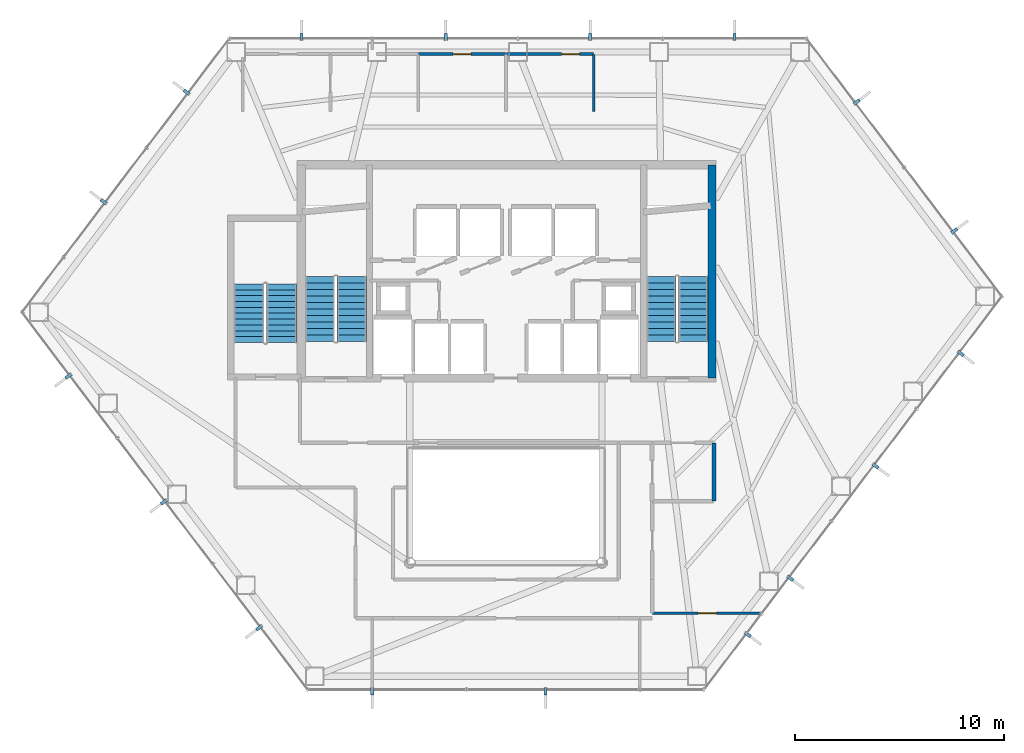
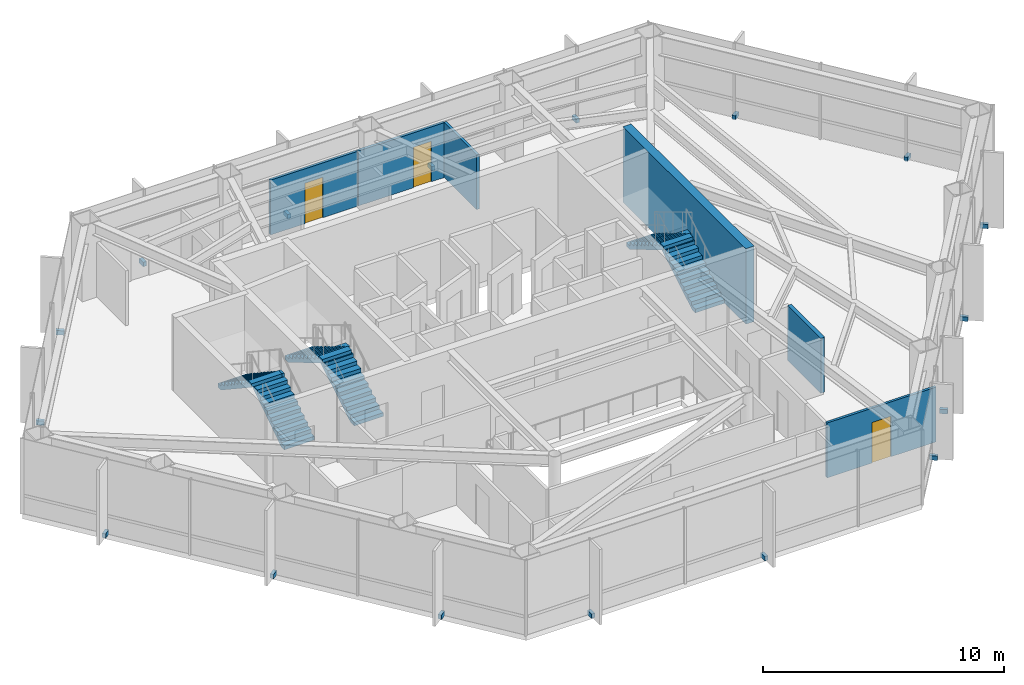
# One storey, part 23 of 24: 17 discrete accessories, 6 stair flights, 6 walls, 3 doors, 3 openings, 3 elements without a shape of their own.
"""IFC4 building model written with IfcOpenShell, lengths in metres."""

import ifcopenshell
import ifcopenshell.guid

model = None  # the IFC model being written
_history = None  # IfcOwnerHistory: only IFC2X3 demands one
_inside = {}  # id of a spatial element -> (the spatial element, [elements in it])
_under = {}  # id of a project, library or spatial element -> (it, [spatial elements below it])
_declared = {}  # id of a project -> (the project, [libraries it declares])
_typed = {}  # id of a type object -> (the type object, [elements of that type])
_made_of = {}  # id of a material, layer set ... -> (it, [elements and type objects made of it])


def new_model(schema):
    """Start an empty IFC model of exactly this schema.

    Asked for "IFC4X3", IfcOpenShell would pick the latest addendum, in which some entities
    have other attributes; the version numbers below select the first issue.
    IFC2X3 requires an IfcOwnerHistory on every rooted entity: one is made here for all.
    """
    global model, _history
    if schema == "IFC4X3":
        model = ifcopenshell.file(schema_version=(4, 3, 0, 0))
    else:
        model = ifcopenshell.file(schema=schema)
    _inside.clear()
    _under.clear()
    _declared.clear()
    _typed.clear()
    _made_of.clear()
    _history = None
    if model.schema == "IFC2X3":
        org = make("IfcOrganization", Name="unknown")
        user = make(
            "IfcPersonAndOrganization",
            ThePerson=make("IfcPerson", FamilyName="unknown"),
            TheOrganization=org,
        )
        app = make(
            "IfcApplication",
            ApplicationDeveloper=org,
            Version="unknown",
            ApplicationFullName="unknown",
            ApplicationIdentifier="unknown",
        )
        _history = make(
            "IfcOwnerHistory",
            OwningUser=user,
            OwningApplication=app,
            ChangeAction="ADDED",
            CreationDate=0,
        )
    return model


def make(cls, **values):
    """One entity of the class cls with the attributes given. An attribute that is None is left unset."""
    return model.create_entity(
        cls, **{name: value for name, value in values.items() if value is not None}
    )


def rooted(cls, **values):
    """An entity with a GlobalId (a new one), such as an element, a storey or a relation."""
    return make(cls, GlobalId=ifcopenshell.guid.new(), OwnerHistory=_history, **values)


def si_unit(unit_type, name, prefix=None):
    """IfcSIUnit, for example si_unit("LENGTHUNIT", "METRE", prefix="MILLI")."""
    return make("IfcSIUnit", UnitType=unit_type, Prefix=prefix, Name=name)


def assignment(units):
    """IfcUnitAssignment: the units of a project."""
    return None if units is None else make("IfcUnitAssignment", Units=units)


def point(xyz):
    """IfcCartesianPoint."""
    return None if xyz is None else make("IfcCartesianPoint", Coordinates=xyz)


def direction(xyz):
    """IfcDirection."""
    return None if xyz is None else make("IfcDirection", DirectionRatios=xyz)


def frame(location, z_axis=None, x_axis=None):
    """IfcAxis2Placement3D, a coordinate frame: its origin and axes. An axis left out is left unset."""
    return make(
        "IfcAxis2Placement3D",
        Location=point(location),
        Axis=direction(z_axis),
        RefDirection=direction(x_axis),
    )


def frame_2d(location, x_axis=None):
    """IfcAxis2Placement2D, a coordinate frame in the plane: its origin and x axis."""
    return make(
        "IfcAxis2Placement2D", Location=point(location), RefDirection=direction(x_axis)
    )


def origin():
    """The frame at (0, 0, 0) with its axes left unset."""
    return frame((0.0, 0.0, 0.0))


def origin_2d():
    """The frame at (0, 0) in the plane with its x axis left unset."""
    return frame_2d((0.0, 0.0))


def place(relative_to, where):
    """IfcLocalPlacement: puts the frame where relative to a parent placement (None: the world)."""
    return make(
        "IfcLocalPlacement", PlacementRelTo=relative_to, RelativePlacement=where
    )


def context(
    kind, dimensions, precision=None, world=None, true_north=None, identifier=None
):
    """IfcGeometricRepresentationContext, for example the 3D "Model" context."""
    return make(
        "IfcGeometricRepresentationContext",
        ContextIdentifier=identifier,
        ContextType=kind,
        CoordinateSpaceDimension=dimensions,
        Precision=precision,
        WorldCoordinateSystem=world,
        TrueNorth=true_north,
    )


def subcontext(parent, identifier, kind, view, scale=None):
    """IfcGeometricRepresentationSubContext, for example "Body" below "Model"."""
    return make(
        "IfcGeometricRepresentationSubContext",
        ContextIdentifier=identifier,
        ContextType=kind,
        ParentContext=parent,
        TargetScale=scale,
        TargetView=view,
    )


def project(units=None, contexts=None):
    """IfcProject with its units and contexts."""
    return rooted(
        "IfcProject",
        Name="project",
        RepresentationContexts=contexts,
        UnitsInContext=assignment(units),
    )


def spatial(cls, under=None, at=None, **own):
    """A site, building, storey or space (cls), placed at a placement, below another one or the project."""
    s = rooted(cls, ObjectPlacement=at, **own)
    if under is not None:
        _under.setdefault(under.id(), (under, []))[1].append(s)
    return s


def polyline(points):
    """IfcPolyline through the points."""
    return make("IfcPolyline", Points=[point(p) for p in points])


def profile(cls, at=None, kind="AREA", **sizes):
    """A parametric profile (cls). Its sizes go by their IFC names, for example OverallWidth=200.0."""
    return make(cls, ProfileType=kind, Position=at, **sizes)


def rectangle(**sizes):
    """IfcRectangleProfileDef."""
    return profile("IfcRectangleProfileDef", **sizes)


def outline(outer, holes=None, kind="AREA"):
    """IfcArbitraryClosedProfileDef: a profile drawn as a closed curve; with holes, ...WithVoids."""
    if holes is None:
        return make("IfcArbitraryClosedProfileDef", ProfileType=kind, OuterCurve=outer)
    return make(
        "IfcArbitraryProfileDefWithVoids",
        ProfileType=kind,
        OuterCurve=outer,
        InnerCurves=holes,
    )


def extrude(swept, where, along, depth):
    """IfcExtrudedAreaSolid: the profile swept, set in the frame where, extruded along a direction by depth."""
    return make(
        "IfcExtrudedAreaSolid",
        SweptArea=swept,
        Position=where,
        ExtrudedDirection=direction(along),
        Depth=depth,
    )


def shape(context_of_items, identifier, shape_type, items):
    """IfcShapeRepresentation: the items that make up one representation, for example the "Body"."""
    return make(
        "IfcShapeRepresentation",
        ContextOfItems=context_of_items,
        RepresentationIdentifier=identifier,
        RepresentationType=shape_type,
        Items=items,
    )


def material(Name=None, Category=None):
    """IfcMaterial."""
    return make("IfcMaterial", Name=Name, Category=Category)


def layer(
    of_material, thickness, ventilated=None, Name=None, Category=None, Priority=None
):
    """IfcMaterialLayer: one layer of a wall or slab, of a material (None: an air gap)."""
    return make(
        "IfcMaterialLayer",
        Material=of_material,
        LayerThickness=thickness,
        IsVentilated=ventilated,
        Name=Name,
        Category=Category,
        Priority=Priority,
    )


def layer_set(layers, Name=None):
    """IfcMaterialLayerSet."""
    return make("IfcMaterialLayerSet", MaterialLayers=layers, LayerSetName=Name)


def made_of(thing, what):
    """Note that an element or type object is made of a material, layer set ...; save() writes the relation."""
    if what is not None:
        _made_of.setdefault(what.id(), (what, []))[1].append(thing)
    return thing


def type_object(cls, material=None, **own):
    """A type object (cls), such as IfcWallType, which elements share."""
    return made_of(rooted(cls, **own), material)


def element(
    cls,
    number,
    at=None,
    inside=None,
    cuts=None,
    type_object=None,
    material=None,
    context=None,
    identifier="Body",
    shape_type=None,
    held_by="IfcProductDefinitionShape",
    body=None,
    shapes=None,
    **own,
):
    """One element of the class cls, such as IfcWall. Its Tag is "e" and its number.

    at: its placement. inside: the storey or other place that contains it. cuts: it is an
    opening in that element (IfcRelVoidsElement). A single representation is given by context,
    identifier, shape_type and body (its items); several are given by shapes. held_by: the class
    of the entity that holds the representations. save() writes the other relations.
    """
    e = rooted(cls, Tag="e%d" % number, ObjectPlacement=at, **own)
    if body is not None:
        shapes = [shape(context, identifier, shape_type, body)]
    if shapes is not None:
        e.Representation = make(held_by, Representations=shapes)
    if inside is not None:
        _inside.setdefault(inside.id(), (inside, []))[1].append(e)
    if cuts is not None:
        rooted(
            "IfcRelVoidsElement", RelatingBuildingElement=cuts, RelatedOpeningElement=e
        )
    if type_object is not None:
        _typed.setdefault(type_object.id(), (type_object, []))[1].append(e)
    return made_of(e, material)


def fill(opening, filler):
    """IfcRelFillsElement: the door or window that sits in an opening."""
    return rooted(
        "IfcRelFillsElement",
        RelatingOpeningElement=opening,
        RelatedBuildingElement=filler,
    )


def aggregate(whole, parts):
    """IfcRelAggregates: a whole, such as a stair, and the parts it consists of."""
    return rooted("IfcRelAggregates", RelatingObject=whole, RelatedObjects=parts)


def save(model, path):
    """Write the relations noted so far, then the file.

    IfcRelAggregates (storeys below a building ...), IfcRelContainedInSpatialStructure (elements
    in a storey), IfcRelDefinesByType, IfcRelAssociatesMaterial and IfcRelDeclares: one each for
    every whole, place, type object, material and project.
    """
    for whole, parts in _under.values():
        aggregate(whole, parts)
    for where, things in _inside.values():
        rooted(
            "IfcRelContainedInSpatialStructure",
            RelatedElements=things,
            RelatingStructure=where,
        )
    for kind, things in _typed.values():
        rooted("IfcRelDefinesByType", RelatedObjects=things, RelatingType=kind)
    for what, things in _made_of.values():
        rooted("IfcRelAssociatesMaterial", RelatedObjects=things, RelatingMaterial=what)
    for by, libraries in _declared.values():
        rooted("IfcRelDeclares", RelatingContext=by, RelatedDefinitions=libraries)
    model.write(path)


model = new_model("IFC4")

# Units and contexts
model_context = context("Model", 3, precision=1e-05, world=origin(), true_north=direction((0.0, 1.0)))
body_context = subcontext(model_context, "Body", "Model", "MODEL_VIEW")
ifc_project = project(units=[si_unit("LENGTHUNIT", "METRE"), si_unit("AREAUNIT", "SQUARE_METRE"), si_unit("VOLUMEUNIT", "CUBIC_METRE"), si_unit("PLANEANGLEUNIT", "RADIAN"), si_unit("MASSUNIT", "GRAM", prefix="KILO")], contexts=[model_context])

# Site, building, storey
site_placement = place(None, origin())
site = spatial("IfcSite", under=ifc_project, at=site_placement, CompositionType="ELEMENT")
building_placement = place(site_placement, origin())
building = spatial("IfcBuilding", under=site, at=building_placement, Name="Zarrinselat Tower", CompositionType="ELEMENT")
storey_placement = place(building_placement, frame((0.0, 0.0, 96.89990234375)))
storey = spatial("IfcBuildingStorey", under=building, at=storey_placement, Name="L23", CompositionType="ELEMENT", Elevation=96.89990234375)

# Wall
ifc_material_1 = material(Name="Concrete C40/50", Category="concrete")
ifc_layer_1 = layer(ifc_material_1, 0.18994140625)
ifc_layer_set_1 = layer_set([ifc_layer_1], Name="Concrete C40/50")
wall_type_1 = type_object("IfcWallType", Name="WAL-PART-EI120", PredefinedType="PARTITIONING", material=ifc_layer_set_1)
wall_1_placement = place(storey_placement, frame((48.35009765625, 27.3701171875, 0.0), z_axis=(0.0, 0.0, 1.0), x_axis=(0.0, 1.0, 0.0)))
element("IfcWall", 1, at=wall_1_placement, inside=storey, type_object=wall_type_1, Name="L23 Partition Wall 14", PredefinedType="PARTITIONING", context=body_context, shape_type="SweptSolid", body=[
    extrude(rectangle(XDim=2.759765625, YDim=0.18994140625, at=frame_2d((1.3798828125, 0.0))), origin(), (0.0, 0.0, 1.0), 2.777099609375),
])

# Wall, opening, door
ifc_material_2 = material(Name="Fire-Rated Gypsum Board Partition", Category="gypsum")
ifc_layer_2 = layer(ifc_material_2, 0.1201171875)
ifc_layer_set_2 = layer_set([ifc_layer_2], Name="Fire-Rated Gypsum Board Partition")
wall_type_2 = type_object("IfcWallType", Name="WAL-PART-STD", PredefinedType="PARTITIONING", material=ifc_layer_set_2)
wall_2_placement = place(storey_placement, frame((45.419921875, 22.0, 0.0), z_axis=(0.0, 0.0, 1.0), x_axis=(1.0, 0.0, 0.0)))
wall_2 = element("IfcWall", 2, at=wall_2_placement, inside=storey, type_object=wall_type_2, Name="L23 Partition Wall 44", PredefinedType="PARTITIONING", context=body_context, shape_type="SweptSolid", body=[
    extrude(rectangle(XDim=5.22265625, YDim=0.1201171875, at=frame_2d((2.611328125, 0.0))), origin(), (0.0, 0.0, 1.0), 2.777099609375),
])
opening_1_placement = place(wall_2_placement, frame((2.1611328125, 0.0, 0.0)))
opening_1 = element("IfcOpeningElement", 3, at=opening_1_placement, cuts=wall_2, Name="Opening ID-05", PredefinedType="OPENING", context=body_context, shape_type="SweptSolid", body=[
    extrude(rectangle(XDim=0.89990234375, YDim=2.050048828125, at=frame_2d((0.449951171875, 1.02490234375))), frame((0.0, 0.070068359375, 0.0), z_axis=(0.0, -1.0, 0.0), x_axis=(1.0, 0.0, 0.0)), (0.0, 0.0, 1.0), 0.14013671875),
])
ifc_material_3 = material(Name="Extruded Aluminium Alloy EN AW-6063 T6", Category="aluminium")
door_type_1 = type_object("IfcDoorType", Name="DR-INT-STD-920", OperationType="NOTDEFINED", PredefinedType="DOOR", material=ifc_material_3)
door_1_placement = place(opening_1_placement, origin())
door_1 = element("IfcDoor", 4, at=door_1_placement, inside=storey, type_object=door_type_1, Name="L23 Interior Door P44", OperationType="SINGLE_SWING_RIGHT", OverallHeight=2.050048828125, OverallWidth=0.89990234375, PredefinedType="DOOR", context=body_context, shape_type="SweptSolid", body=[
    extrude(rectangle(XDim=0.89990234375, YDim=2.050048828125, at=frame_2d((0.449951171875, 1.02490234375))), frame((0.0, 0.02490234375, 0.0), z_axis=(0.0, -1.0, 0.0), x_axis=(1.0, 0.0, 0.0)), (0.0, 0.0, 1.0), 0.050048828125),
])
fill(opening_1, door_1)

ifc_material_4 = material(Name="Fire-Rated Gypsum Board Partition", Category="gypsum")
ifc_layer_3 = layer(ifc_material_4, 0.135009765625)
ifc_layer_set_3 = layer_set([ifc_layer_3], Name="Fire-Rated Gypsum Board Partition")
wall_type_3 = type_object("IfcWallType", Name="WAL-PART-WET", PredefinedType="PARTITIONING", material=ifc_layer_set_3)
wall_3_placement = place(storey_placement, frame((34.219970703125, 48.75, 0.0), z_axis=(0.0, 0.0, 1.0), x_axis=(1.0, 0.0, 0.0)))
wall_3 = element("IfcWall", 5, at=wall_3_placement, inside=storey, type_object=wall_type_3, Name="L23 Partition Wall 39", PredefinedType="PARTITIONING", context=body_context, shape_type="SweptSolid", body=[
    extrude(rectangle(XDim=4.159912109375, YDim=0.135009765625, at=frame_2d((2.080078125, 0.0))), origin(), (0.0, 0.0, 1.0), 2.777099609375),
])
opening_2_placement = place(wall_3_placement, frame((1.64990234375, 0.0, 0.0)))
opening_2 = element("IfcOpeningElement", 6, at=opening_2_placement, cuts=wall_3, Name="Opening ID-06", PredefinedType="OPENING", context=body_context, shape_type="SweptSolid", body=[
    extrude(rectangle(XDim=0.860107421875, YDim=2.050048828125, at=frame_2d((0.43017578125, 1.02490234375))), frame((0.0, 0.077392578125, 0.0), z_axis=(0.0, -1.0, 0.0), x_axis=(1.0, 0.0, 0.0)), (0.0, 0.0, 1.0), 0.155029296875),
])
ifc_material_5 = material(Name="Extruded Aluminium Alloy EN AW-6063 T6", Category="aluminium")
door_type_2 = type_object("IfcDoorType", Name="DR-INT-WET-900", OperationType="NOTDEFINED", PredefinedType="DOOR", material=ifc_material_5)
door_2_placement = place(opening_2_placement, origin())
door_2 = element("IfcDoor", 7, at=door_2_placement, inside=storey, type_object=door_type_2, Name="L23 Interior Door P39", OperationType="SINGLE_SWING_RIGHT", OverallHeight=2.050048828125, OverallWidth=0.860107421875, PredefinedType="DOOR", context=body_context, shape_type="SweptSolid", body=[
    extrude(rectangle(XDim=0.860107421875, YDim=2.050048828125, at=frame_2d((0.43017578125, 1.02490234375))), frame((0.0, 0.02490234375, 0.0), z_axis=(0.0, -1.0, 0.0), x_axis=(1.0, 0.0, 0.0)), (0.0, 0.0, 1.0), 0.050048828125),
])
fill(opening_2, door_2)

wall_4_placement = place(storey_placement, frame((38.419921875, 48.75, 0.0), z_axis=(0.0, 0.0, 1.0), x_axis=(1.0, 0.0, 0.0)))
wall_4 = element("IfcWall", 8, at=wall_4_placement, inside=storey, type_object=wall_type_3, Name="L23 Partition Wall 40", PredefinedType="PARTITIONING", context=body_context, shape_type="SweptSolid", body=[
    extrude(rectangle(XDim=4.16015625, YDim=0.135009765625, at=frame_2d((2.080078125, 0.0))), origin(), (0.0, 0.0, 1.0), 2.777099609375),
])
opening_3_placement = place(wall_4_placement, frame((2.64990234375, 0.0, 0.0)))
opening_3 = element("IfcOpeningElement", 9, at=opening_3_placement, cuts=wall_4, Name="Opening ID-06", PredefinedType="OPENING", context=body_context, shape_type="SweptSolid", body=[
    extrude(rectangle(XDim=0.860107421875, YDim=2.050048828125, at=frame_2d((0.43017578125, 1.02490234375))), frame((0.0, 0.077392578125, 0.0), z_axis=(0.0, -1.0, 0.0), x_axis=(1.0, 0.0, 0.0)), (0.0, 0.0, 1.0), 0.155029296875),
])
door_3_placement = place(opening_3_placement, origin())
door_3 = element("IfcDoor", 10, at=door_3_placement, inside=storey, type_object=door_type_2, Name="L23 Interior Door P40", OperationType="SINGLE_SWING_LEFT", OverallHeight=2.050048828125, OverallWidth=0.860107421875, PredefinedType="DOOR", context=body_context, shape_type="SweptSolid", body=[
    extrude(rectangle(XDim=0.860107421875, YDim=2.050048828125, at=frame_2d((0.43017578125, 1.02490234375))), frame((0.0, 0.02490234375, 0.0), z_axis=(0.0, -1.0, 0.0), x_axis=(1.0, 0.0, 0.0)), (0.0, 0.0, 1.0), 0.050048828125),
])
fill(opening_3, door_3)

# Walls
wall_5_placement = place(storey_placement, frame((42.60009765625, 46.0, 0.0), z_axis=(0.0, 0.0, 1.0), x_axis=(0.0, 1.0, 0.0)))
element("IfcWall", 11, at=wall_5_placement, inside=storey, type_object=wall_type_3, Name="L23 Partition Wall 41", PredefinedType="PARTITIONING", context=body_context, shape_type="SweptSolid", body=[
    extrude(rectangle(XDim=2.72998046875, YDim=0.135009765625, at=frame_2d((1.364990234375, 0.0))), origin(), (0.0, 0.0, 1.0), 2.777099609375),
])
ifc_material_6 = material(Name="Concrete C60/75", Category="concrete")
ifc_layer_4 = layer(ifc_material_6, 0.39990234375)
ifc_layer_set_4 = layer_set([ifc_layer_4], Name="Concrete C60/75")
wall_type_4 = type_object("IfcWallType", Name="WAL-SHEAR-400", PredefinedType="SHEAR", material=ifc_layer_set_4)
wall_6_placement = place(storey_placement, frame((48.260009765625, 33.25, 0.0), z_axis=(0.0, 0.0, 1.0), x_axis=(0.0, 1.0, 0.0)))
element("IfcWall", 12, at=wall_6_placement, inside=storey, type_object=wall_type_4, Name="L23 Core Shear Wall E", PredefinedType="SHEAR", context=body_context, shape_type="SweptSolid", body=[
    extrude(rectangle(XDim=10.199951171875, YDim=0.39990234375, at=frame_2d((5.10009765625, 0.0))), origin(), (0.0, 0.0, 1.0), 3.820068359375),
])

# Stair, stair flights
ifc_material_7 = material(Name="Concrete C40/50", Category="concrete")
stair_type_1 = type_object("IfcStairType", Name="STR-CORE-145", PredefinedType="HALF_TURN_STAIR", material=ifc_material_7)
stair_1_placement = place(storey_placement, origin())
stair_1 = element("IfcStair", 13, at=stair_1_placement, inside=storey, type_object=stair_type_1, Name="L23 Podium & Mid-Tower Exit Stair 3", PredefinedType="HALF_TURN_STAIR")
ifc_material_8 = material(Name="Concrete C40/50", Category="concrete")
stair_flight_type_1 = type_object("IfcStairFlightType", Name="STR-FLT-145", PredefinedType="STRAIGHT", material=ifc_material_8)
stair_flight_1_placement = place(storey_placement, frame((27.675048828125, 34.949951171875, 0.0), z_axis=(0.0, 0.0, 1.0), x_axis=(0.0, 1.0, 0.0)))
stair_flight_1 = element("IfcStairFlight", 14, at=stair_flight_1_placement, type_object=stair_flight_type_1, Name="ST-3 flight 1", NumberOfRisers=11, NumberOfTreads=10, PredefinedType="STRAIGHT", RiserHeight=0.185454545, TreadLength=0.28, context=body_context, shape_type="SweptSolid", body=[
    extrude(outline(polyline([(0.0, 0.0), (0.0, 0.185546875), (0.280029296875, 0.185546875), (0.280029296875, 0.370849609375), (0.56005859375, 0.370849609375), (0.56005859375, 0.556396484375), (0.840087890625, 0.556396484375), (0.840087890625, 0.74169921875), (1.1201171875, 0.74169921875), (1.1201171875, 0.92724609375), (1.39990234375, 0.92724609375), (1.39990234375, 1.11279296875), (1.679931640625, 1.11279296875), (1.679931640625, 1.298095703125), (1.9599609375, 1.298095703125), (1.9599609375, 1.483642578125), (2.239990234375, 1.483642578125), (2.239990234375, 1.669189453125), (2.52001953125, 1.669189453125), (2.52001953125, 1.8544921875), (2.800048828125, 1.8544921875), (2.800048828125, 2.0400390625), (2.800048828125, 1.6748046875), (0.271484375, 0.0), (0.0, 0.0)])), frame((0.0, 0.72509765625, 0.0), z_axis=(0.0, -1.0, 0.0), x_axis=(1.0, 0.0, 0.0)), (0.0, 0.0, 1.0), 1.449951171875),
])
stair_flight_2_placement = place(storey_placement, frame((26.10498046875, 37.75, 2.0400390625), z_axis=(0.0, 0.0, 1.0), x_axis=(0.0, -1.0, 0.0)))
stair_flight_2 = element("IfcStairFlight", 15, at=stair_flight_2_placement, type_object=stair_flight_type_1, Name="ST-3 flight 2", NumberOfRisers=11, NumberOfTreads=10, PredefinedType="STRAIGHT", RiserHeight=0.185454545, TreadLength=0.28, context=body_context, shape_type="SweptSolid", body=[
    extrude(outline(polyline([(0.0, 0.0), (0.0, 0.185546875), (0.280029296875, 0.185546875), (0.280029296875, 0.370849609375), (0.56005859375, 0.370849609375), (0.56005859375, 0.556396484375), (0.840087890625, 0.556396484375), (0.840087890625, 0.74169921875), (1.1201171875, 0.74169921875), (1.1201171875, 0.92724609375), (1.39990234375, 0.92724609375), (1.39990234375, 1.11279296875), (1.679931640625, 1.11279296875), (1.679931640625, 1.298095703125), (1.9599609375, 1.298095703125), (1.9599609375, 1.483642578125), (2.239990234375, 1.483642578125), (2.239990234375, 1.669189453125), (2.52001953125, 1.669189453125), (2.52001953125, 1.8544921875), (2.800048828125, 1.8544921875), (2.800048828125, 2.0400390625), (2.800048828125, 1.6748046875), (0.271484375, 0.0), (0.0, 0.0)])), frame((0.0, 0.72509765625, 0.0), z_axis=(0.0, -1.0, 0.0), x_axis=(1.0, 0.0, 0.0)), (0.0, 0.0, 1.0), 1.449951171875),
])
aggregate(stair_1, [stair_flight_1, stair_flight_2])

ifc_material_9 = material(Name="Concrete C40/50", Category="concrete")
stair_type_2 = type_object("IfcStairType", Name="STR-CORE-155", PredefinedType="HALF_TURN_STAIR", material=ifc_material_9)
stair_2_placement = place(storey_placement, origin())
stair_2 = element("IfcStair", 16, at=stair_2_placement, inside=storey, type_object=stair_type_2, Name="L23 Core Exit Stair 1", PredefinedType="HALF_TURN_STAIR")
ifc_material_10 = material(Name="Concrete C40/50", Category="concrete")
stair_flight_type_2 = type_object("IfcStairFlightType", Name="STR-FLT-155", PredefinedType="STRAIGHT", material=ifc_material_10)
stair_flight_3_placement = place(storey_placement, frame((31.02001953125, 35.0, 0.0), z_axis=(0.0, 0.0, 1.0), x_axis=(0.0, 1.0, 0.0)))
stair_flight_3 = element("IfcStairFlight", 17, at=stair_flight_3_placement, type_object=stair_flight_type_2, Name="ST-1 flight 1", NumberOfRisers=11, NumberOfTreads=10, PredefinedType="STRAIGHT", RiserHeight=0.185454545, TreadLength=0.31, context=body_context, shape_type="SweptSolid", body=[
    extrude(outline(polyline([(0.0, 0.0), (0.0, 0.185546875), (0.31005859375, 0.185546875), (0.31005859375, 0.370849609375), (0.6201171875, 0.370849609375), (0.6201171875, 0.556396484375), (0.929931640625, 0.556396484375), (0.929931640625, 0.74169921875), (1.239990234375, 0.74169921875), (1.239990234375, 0.92724609375), (1.550048828125, 0.92724609375), (1.550048828125, 1.11279296875), (1.860107421875, 1.11279296875), (1.860107421875, 1.298095703125), (2.169921875, 1.298095703125), (2.169921875, 1.483642578125), (2.47998046875, 1.483642578125), (2.47998046875, 1.669189453125), (2.7900390625, 1.669189453125), (2.7900390625, 1.8544921875), (3.10009765625, 1.8544921875), (3.10009765625, 2.0400390625), (3.10009765625, 1.679931640625), (0.2919921875, 0.0), (0.0, 0.0)])), frame((0.0, 0.699951171875, 0.0), z_axis=(0.0, -1.0, 0.0), x_axis=(1.0, 0.0, 0.0)), (0.0, 0.0, 1.0), 1.39990234375),
])
stair_flight_4_placement = place(storey_placement, frame((29.5, 38.10009765625, 2.0400390625), z_axis=(0.0, 0.0, 1.0), x_axis=(0.0, -1.0, 0.0)))
stair_flight_4 = element("IfcStairFlight", 18, at=stair_flight_4_placement, type_object=stair_flight_type_2, Name="ST-1 flight 2", NumberOfRisers=11, NumberOfTreads=10, PredefinedType="STRAIGHT", RiserHeight=0.185454545, TreadLength=0.31, context=body_context, shape_type="SweptSolid", body=[
    extrude(outline(polyline([(0.0, 0.0), (0.0, 0.185546875), (0.31005859375, 0.185546875), (0.31005859375, 0.370849609375), (0.6201171875, 0.370849609375), (0.6201171875, 0.556396484375), (0.929931640625, 0.556396484375), (0.929931640625, 0.74169921875), (1.239990234375, 0.74169921875), (1.239990234375, 0.92724609375), (1.550048828125, 0.92724609375), (1.550048828125, 1.11279296875), (1.860107421875, 1.11279296875), (1.860107421875, 1.298095703125), (2.169921875, 1.298095703125), (2.169921875, 1.483642578125), (2.47998046875, 1.483642578125), (2.47998046875, 1.669189453125), (2.7900390625, 1.669189453125), (2.7900390625, 1.8544921875), (3.10009765625, 1.8544921875), (3.10009765625, 2.0400390625), (3.10009765625, 1.679931640625), (0.2919921875, 0.0), (0.0, 0.0)])), frame((0.0, 0.699951171875, 0.0), z_axis=(0.0, -1.0, 0.0), x_axis=(1.0, 0.0, 0.0)), (0.0, 0.0, 1.0), 1.39990234375),
])
aggregate(stair_2, [stair_flight_3, stair_flight_4])

stair_3_placement = place(storey_placement, origin())
stair_3 = element("IfcStair", 19, at=stair_3_placement, inside=storey, type_object=stair_type_2, Name="L23 Core Exit Stair 2", PredefinedType="HALF_TURN_STAIR")
stair_flight_5_placement = place(storey_placement, frame((47.360107421875, 35.0, 0.0), z_axis=(0.0, 0.0, 1.0), x_axis=(0.0, 1.0, 0.0)))
stair_flight_5 = element("IfcStairFlight", 20, at=stair_flight_5_placement, type_object=stair_flight_type_2, Name="ST-2 flight 1", NumberOfRisers=11, NumberOfTreads=10, PredefinedType="STRAIGHT", RiserHeight=0.185454545, TreadLength=0.31, context=body_context, shape_type="SweptSolid", body=[
    extrude(outline(polyline([(0.0, 0.0), (0.0, 0.185546875), (0.31005859375, 0.185546875), (0.31005859375, 0.370849609375), (0.6201171875, 0.370849609375), (0.6201171875, 0.556396484375), (0.929931640625, 0.556396484375), (0.929931640625, 0.74169921875), (1.239990234375, 0.74169921875), (1.239990234375, 0.92724609375), (1.550048828125, 0.92724609375), (1.550048828125, 1.11279296875), (1.860107421875, 1.11279296875), (1.860107421875, 1.298095703125), (2.169921875, 1.298095703125), (2.169921875, 1.483642578125), (2.47998046875, 1.483642578125), (2.47998046875, 1.669189453125), (2.7900390625, 1.669189453125), (2.7900390625, 1.8544921875), (3.10009765625, 1.8544921875), (3.10009765625, 2.0400390625), (3.10009765625, 1.679931640625), (0.2919921875, 0.0), (0.0, 0.0)])), frame((0.0, 0.699951171875, 0.0), z_axis=(0.0, -1.0, 0.0), x_axis=(1.0, 0.0, 0.0)), (0.0, 0.0, 1.0), 1.39990234375),
])
stair_flight_6_placement = place(storey_placement, frame((45.840087890625, 38.10009765625, 2.0400390625), z_axis=(0.0, 0.0, 1.0), x_axis=(0.0, -1.0, 0.0)))
stair_flight_6 = element("IfcStairFlight", 21, at=stair_flight_6_placement, type_object=stair_flight_type_2, Name="ST-2 flight 2", NumberOfRisers=11, NumberOfTreads=10, PredefinedType="STRAIGHT", RiserHeight=0.185454545, TreadLength=0.31, context=body_context, shape_type="SweptSolid", body=[
    extrude(outline(polyline([(0.0, 0.0), (0.0, 0.185546875), (0.31005859375, 0.185546875), (0.31005859375, 0.370849609375), (0.6201171875, 0.370849609375), (0.6201171875, 0.556396484375), (0.929931640625, 0.556396484375), (0.929931640625, 0.74169921875), (1.239990234375, 0.74169921875), (1.239990234375, 0.92724609375), (1.550048828125, 0.92724609375), (1.550048828125, 1.11279296875), (1.860107421875, 1.11279296875), (1.860107421875, 1.298095703125), (2.169921875, 1.298095703125), (2.169921875, 1.483642578125), (2.47998046875, 1.483642578125), (2.47998046875, 1.669189453125), (2.7900390625, 1.669189453125), (2.7900390625, 1.8544921875), (3.10009765625, 1.8544921875), (3.10009765625, 2.0400390625), (3.10009765625, 1.679931640625), (0.2919921875, 0.0), (0.0, 0.0)])), frame((0.0, 0.699951171875, 0.0), z_axis=(0.0, -1.0, 0.0), x_axis=(1.0, 0.0, 0.0)), (0.0, 0.0, 1.0), 1.39990234375),
])
aggregate(stair_3, [stair_flight_5, stair_flight_6])

# Discrete accessories
ifc_material_11 = material(Name="Steel S355J2", Category="steel")
discrete_accessory_type = type_object("IfcDiscreteAccessoryType", Name="ACC-FIN-BRACKET", PredefinedType="BRACKET", material=ifc_material_11)
for number, where, z_axis, x_axis, name in (
    (22, (49.340576171875, 49.570068359375, -0.0498046875), (0.0, 0.0, 1.0), (0.0, 1.0, 0.0), "L23 Fin Fixing Bracket CW-L23-E01-01"),
    (23, (42.432861328125, 49.570068359375, -0.0498046875), (0.0, 0.0, 1.0), (0.0, 1.0, 0.0), "L23 Fin Fixing Bracket CW-L23-E01-03"),
    (24, (35.525146484375, 49.570068359375, -0.0498046875), (0.0, 0.0, 1.0), (0.0, 1.0, 0.0), "L23 Fin Fixing Bracket CW-L23-E01-05"),
    (25, (28.617431640625, 49.570068359375, -0.0498046875), (0.0, 0.0, 1.0), (0.0, 1.0, 0.0), "L23 Fin Fixing Bracket CW-L23-E01-07"),
    (26, (23.122314453125, 46.92138671875, -0.0498046875), (0.0, 0.0, 1.0), (-0.7970942775, 0.603854877249, 0.0), "L23 Fin Fixing Bracket CW-L23-E02-01"),
    (27, (19.151611328125, 41.679931640625, -0.0498046875), (0.0, 0.0, 1.0), (-0.7970942775, 0.603854877249, 0.0), "L23 Fin Fixing Bracket CW-L23-E02-03"),
    (28, (17.462158203125, 33.342041015625, -0.0498046875), (0.0, 0.0, 1.0), (-0.797092083812, -0.603857772927, 0.0), "L23 Fin Fixing Bracket CW-L23-E03-01"),
    (29, (22.025390625, 27.318603515625, -0.0498046875), (0.0, 0.0, 1.0), (-0.797092083812, -0.603857772927, 0.0), "L23 Fin Fixing Bracket CW-L23-E03-03"),
    (30, (26.588623046875, 21.294921875, -0.0498046875), (0.0, 0.0, 1.0), (-0.797092083812, -0.603857772927, 0.0), "L23 Fin Fixing Bracket CW-L23-E03-05"),
    (31, (32.0, 18.255615234375, -0.0498046875), (0.0, 0.0, 1.0), (0.0, -1.0, 0.0), "L23 Fin Fixing Bracket CW-L23-E04-01"),
    (32, (40.294921875, 18.255615234375, -0.0498046875), (0.0, 0.0, 1.0), (0.0, -1.0, 0.0), "L23 Fin Fixing Bracket CW-L23-E04-03"),
    (33, (49.968017578125, 20.97412109375, -0.0498046875), (0.0, 0.0, 1.0), (0.79709190125, -0.603858013909, 0.0), "L23 Fin Fixing Bracket CW-L23-E05-01"),
    (34, (52.006591796875, 23.664794921875, -0.0498046875), (0.0, 0.0, 1.0), (0.79709190125, -0.603858013909, 0.0), "L23 Fin Fixing Bracket CW-L23-E05-03"),
    (35, (56.083251953125, 29.0458984375, -0.0498046875), (0.0, 0.0, 1.0), (0.79709190125, -0.603858013909, 0.0), "L23 Fin Fixing Bracket CW-L23-E05-05"),
    (36, (60.16015625, 34.427490234375, -0.0498046875), (0.0, 0.0, 1.0), (0.79709190125, -0.603858013909, 0.0), "L23 Fin Fixing Bracket CW-L23-E05-07"),
    (37, (59.861328125, 40.28759765625, -0.0498046875), (0.0, 0.0, 1.0), (0.797091582847, 0.6038584342, 0.0), "L23 Fin Fixing Bracket CW-L23-E06-01"),
    (38, (55.187255859375, 46.45751953125, -0.0498046875), (0.0, 0.0, 1.0), (0.797091582847, 0.6038584342, 0.0), "L23 Fin Fixing Bracket CW-L23-E06-03"),
):
    element("IfcDiscreteAccessory", number, at=place(storey_placement, frame(where, z_axis=z_axis, x_axis=x_axis)), inside=storey, type_object=discrete_accessory_type, Name=name, PredefinedType="BRACKET", context=body_context, shape_type="SweptSolid", body=[
        extrude(rectangle(XDim=0.340087890625, YDim=0.159912109375, at=origin_2d()), origin(), (0.0, 0.0, 1.0), 0.219970703125),
    ])

save(model, "model.ifc")
